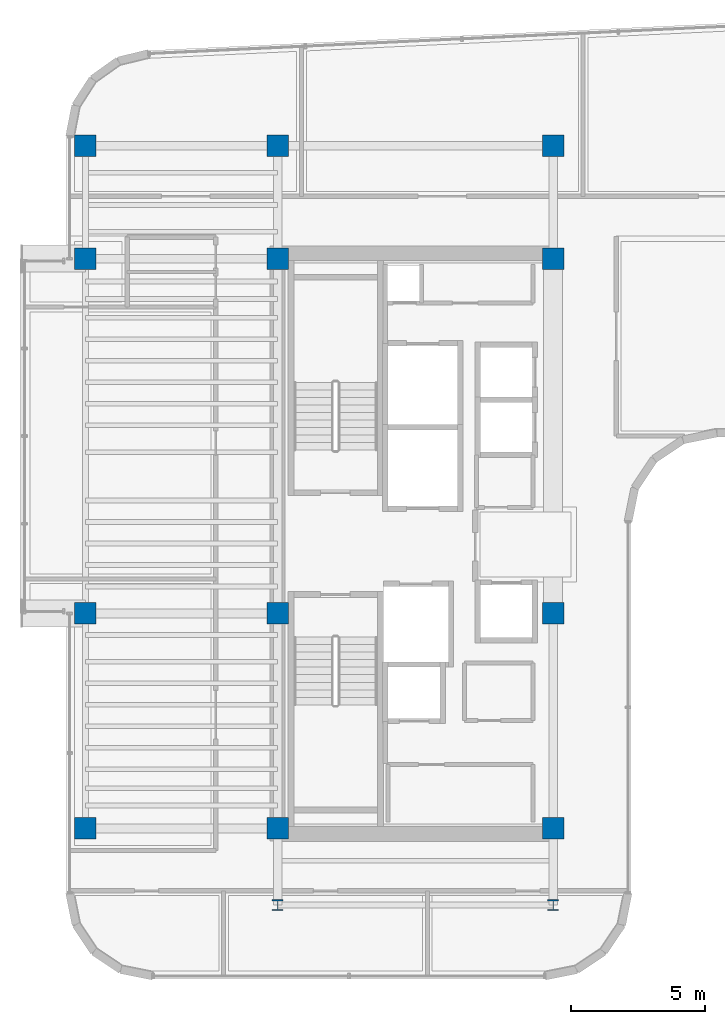
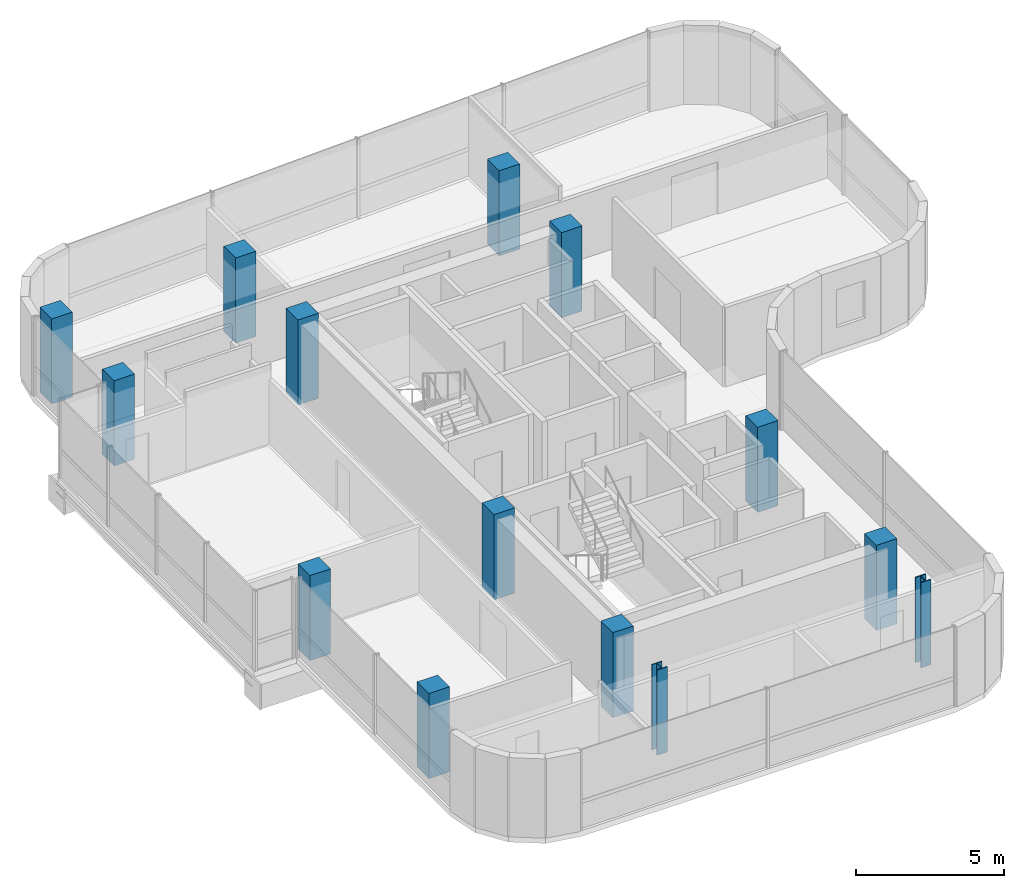
# One storey, part 1 of 18: 14 columns.
"""IFC4 building model written with IfcOpenShell, lengths in metres."""

from ifc_helpers import new_model, si_unit, direction, frame, origin, origin_2d, place, context, subcontext, project, spatial, rectangle, i_section, extrude, source, transform, mapped, material, material_profile, profile_set, type_object, element, save


model = new_model("IFC4")

# Units and contexts
model_context = context("Model", 3, precision=1e-05, world=origin(), true_north=direction((0.0, 1.0)))
body_context = subcontext(model_context, "Body", "Model", "MODEL_VIEW")
ifc_project = project(units=[si_unit("LENGTHUNIT", "METRE"), si_unit("AREAUNIT", "SQUARE_METRE"), si_unit("VOLUMEUNIT", "CUBIC_METRE"), si_unit("PLANEANGLEUNIT", "RADIAN"), si_unit("MASSUNIT", "GRAM", prefix="KILO")], contexts=[model_context])

# Site, building, storey
site_placement = place(None, origin())
site = spatial("IfcSite", under=ifc_project, at=site_placement, CompositionType="ELEMENT")
building_placement = place(site_placement, origin())
building = spatial("IfcBuilding", under=site, at=building_placement, Name="Valdorenza Pilgrim Sanctuary Tower", CompositionType="ELEMENT")
storey_placement = place(building_placement, frame((0.0, 0.0, 276.5)))
storey = spatial("IfcBuildingStorey", under=building, at=storey_placement, Name="L72", CompositionType="ELEMENT", Elevation=276.5)

# Columns
ifc_material_1 = material(Name="Concrete C50/60", Category="concrete")
ifc_material_profile_1 = material_profile(ifc_material_1, rectangle(XDim=0.800048828125, YDim=0.800048828125, at=origin_2d()), Name="RC 800x800")
ifc_profile_set_1 = profile_set([ifc_material_profile_1], Name="Concrete C50/60")
column_type_1 = type_object("IfcColumnType", Name="COL-Z4B-800", PredefinedType="COLUMN", material=ifc_profile_set_1)
shared_shape_1 = source(origin(), body_context, "Body", "SweptSolid", [
    extrude(rectangle(XDim=0.800048828125, YDim=0.800048828125, at=origin_2d()), origin(), (0.0, 0.0, 1.0), 3.5),
])
for number, where, z_axis, x_axis, name in (
    (1, (-29.800048828125, -10.60009765625, 0.0), (0.0, 0.0, 1.0), (1.0, 0.0, 0.0), "L72 Perimeter Column WA-W-S1"),
    (2, (-22.64990234375, -10.60009765625, 0.0), (0.0, 0.0, 1.0), (1.0, 0.0, 0.0), "L72 Column CA-W-S1"),
    (3, (-12.39990234375, -10.60009765625, 0.0), (0.0, 0.0, 1.0), (1.0, 0.0, 0.0), "L72 Column CA-E-S1"),
    (4, (-29.800048828125, -2.60009765625, 0.0), (0.0, 0.0, 1.0), (1.0, 0.0, 0.0), "L72 Perimeter Column WA-W-M0"),
    (5, (-22.64990234375, -2.60009765625, 0.0), (0.0, 0.0, 1.0), (1.0, 0.0, 0.0), "L72 Column CA-W-M0"),
    (6, (-12.39990234375, -2.60009765625, 0.0), (0.0, 0.0, 1.0), (1.0, 0.0, 0.0), "L72 Column CA-E-M0"),
    (7, (-29.800048828125, 10.60009765625, 0.0), (0.0, 0.0, 1.0), (1.0, 0.0, 0.0), "L72 Perimeter Column WA-W-N1"),
    (8, (-22.64990234375, 10.60009765625, 0.0), (0.0, 0.0, 1.0), (1.0, 0.0, 0.0), "L72 Column CA-W-N1"),
    (9, (-12.39990234375, 10.60009765625, 0.0), (0.0, 0.0, 1.0), (1.0, 0.0, 0.0), "L72 Column CA-E-N1"),
    (10, (-29.800048828125, 14.800048828125, 0.0), (0.0, 0.0, 1.0), (1.0, 0.0, 0.0), "L72 Perimeter Column WA-W-N2"),
    (11, (-22.64990234375, 14.800048828125, 0.0), (0.0, 0.0, 1.0), (1.0, 0.0, 0.0), "L72 Column CA-W-N2"),
    (12, (-12.39990234375, 14.800048828125, 0.0), (0.0, 0.0, 1.0), (1.0, 0.0, 0.0), "L72 Column CA-E-N2"),
):
    element("IfcColumn", number, at=place(storey_placement, frame(where, z_axis=z_axis, x_axis=x_axis)), inside=storey, type_object=column_type_1, Name=name, PredefinedType="COLUMN", context=body_context, shape_type="MappedRepresentation", body=[
        mapped(shared_shape_1, transform((0.0, 0.0, 0.0), x_axis=(1.0, 0.0, 0.0), y_axis=(0.0, 1.0, 0.0), z_axis=(0.0, 0.0, 1.0), scale=1.0)),
    ])
ifc_material_2 = material(Name="Steel ASTM A992 Grade 50", Category="steel")
ifc_material_profile_2 = material_profile(ifc_material_2, i_section(OverallWidth=0.40087890625, OverallDepth=0.39892578125, WebThickness=0.02490234375, FlangeThickness=0.03955078125, at=origin_2d()), Name="W14X211")
ifc_profile_set_2 = profile_set([ifc_material_profile_2], Name="Steel ASTM A992 Grade 50")
column_type_2 = type_object("IfcColumnType", Name="COL-STL-W211", PredefinedType="COLUMN", material=ifc_profile_set_2)
shared_shape_2 = source(origin(), body_context, "Body", "SweptSolid", [
    extrude(i_section(OverallWidth=0.40087890625, OverallDepth=0.39892578125, WebThickness=0.02490234375, FlangeThickness=0.03955078125, at=origin_2d()), origin(), (0.0, 0.0, 1.0), 3.5),
])
for number, where, z_axis, x_axis, name in (
    (13, (-22.64990234375, -13.449951171875, 0.0), (0.0, 0.0, 1.0), (1.0, 0.0, 0.0), "L72 Column WA-S-W"),
    (14, (-12.39990234375, -13.449951171875, 0.0), (0.0, 0.0, 1.0), (1.0, 0.0, 0.0), "L72 Column WA-S-E"),
):
    element("IfcColumn", number, at=place(storey_placement, frame(where, z_axis=z_axis, x_axis=x_axis)), inside=storey, type_object=column_type_2, Name=name, PredefinedType="COLUMN", context=body_context, shape_type="MappedRepresentation", body=[
        mapped(shared_shape_2, transform((0.0, 0.0, 0.0), x_axis=(1.0, 0.0, 0.0), y_axis=(0.0, 1.0, 0.0), z_axis=(0.0, 0.0, 1.0), scale=1.0)),
    ])

save(model, "model.ifc")
